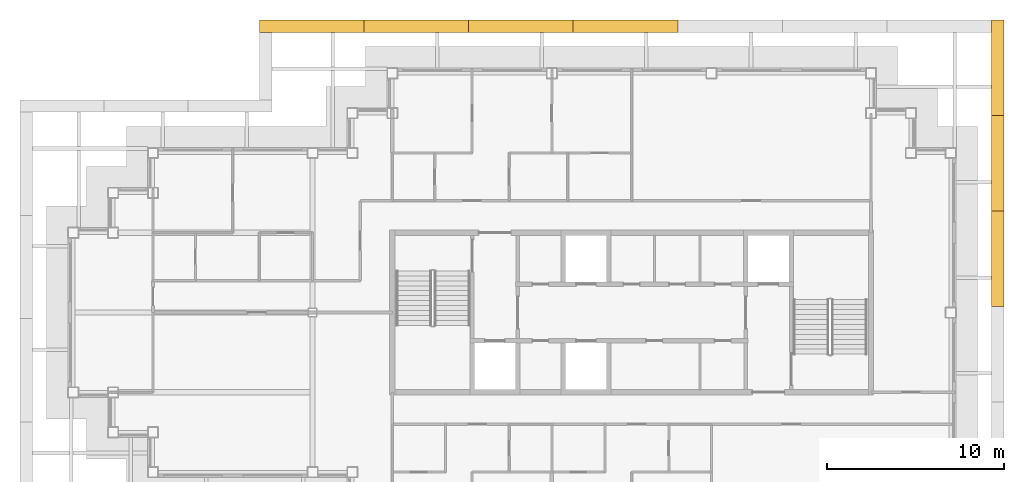
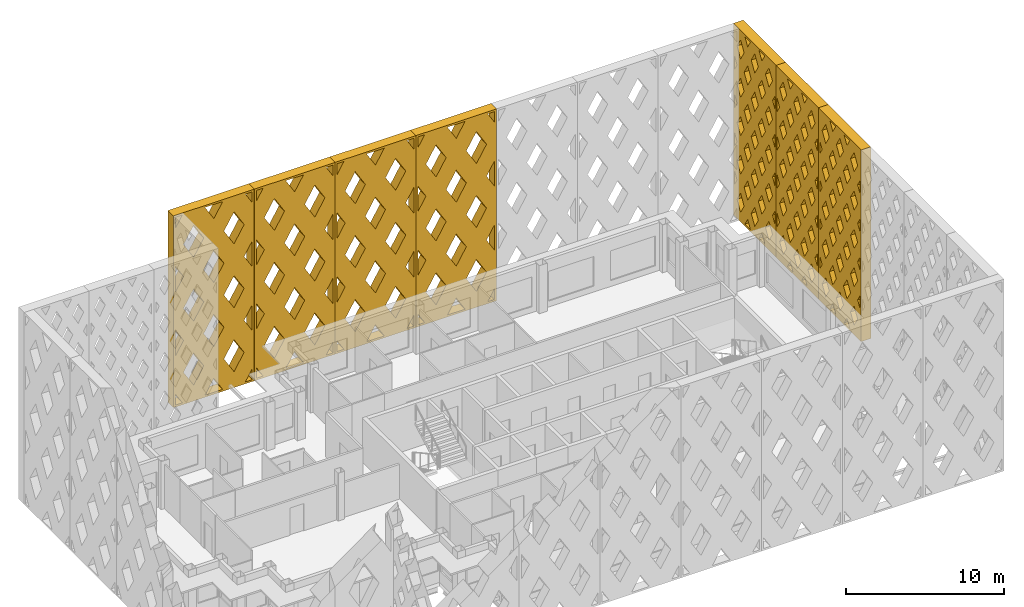
# One storey, part 14 of 15: 7 shading devices.
"""IFC4 building model written with IfcOpenShell, lengths in metres."""

from ifc_helpers import new_model, si_unit, direction, frame, origin, place, context, subcontext, project, spatial, polyline, outline, extrude, material, type_object, element, save


model = new_model("IFC4")

# Units and contexts
model_context = context("Model", 3, precision=1e-05, world=origin(), true_north=direction((0.0, 1.0)))
body_context = subcontext(model_context, "Body", "Model", "MODEL_VIEW")
ifc_project = project(units=[si_unit("LENGTHUNIT", "METRE"), si_unit("AREAUNIT", "SQUARE_METRE"), si_unit("VOLUMEUNIT", "CUBIC_METRE"), si_unit("PLANEANGLEUNIT", "RADIAN"), si_unit("MASSUNIT", "GRAM", prefix="KILO")], contexts=[model_context])

# Site, building, storey
site_placement = place(None, origin())
site = spatial("IfcSite", under=ifc_project, at=site_placement, CompositionType="ELEMENT")
building_placement = place(site_placement, origin())
building = spatial("IfcBuilding", under=site, at=building_placement, Name="Caravel Reach Hotel and Residences", CompositionType="ELEMENT")
storey_placement = place(building_placement, frame((0.0, 0.0, 252.699951171875)))
storey = spatial("IfcBuildingStorey", under=building, at=storey_placement, Name="L64", CompositionType="ELEMENT", Elevation=252.699951171875)

# Shading devices
ifc_material_1 = material(Name="Black powder-coated aluminium", Category="aluminium")
shading_device_type_1 = type_object("IfcShadingDeviceType", Name="Diamond lattice screen panel 5383 x 14800", PredefinedType="USERDEFINED", material=ifc_material_1)
shading_device_1_placement = place(storey_placement, frame((51.800048828125, 27.35009765625, 0.0), z_axis=(1.0, 0.0, 0.0), x_axis=(0.0, 1.0, 0.0)))
element("IfcShadingDevice", 1, at=shading_device_1_placement, inside=storey, type_object=shading_device_type_1, Name="Lattice screen L64-L67 4.4", ObjectType="SCREEN", PredefinedType="USERDEFINED", context=body_context, shape_type="SweptSolid", body=[
    extrude(outline(polyline([(0.0, 0.0), (5.38330078125, 0.0), (5.38330078125, 14.800048828125), (0.0, 14.800048828125), (0.0, 0.0)]), holes=[polyline([(0.451416015625, 2.9599609375), (0.14990234375, 3.457275390625), (0.14990234375, 2.462646484375), (0.451416015625, 2.9599609375)]), polyline([(0.451416015625, 5.919921875), (0.14990234375, 6.41748046875), (0.14990234375, 5.422607421875), (0.451416015625, 5.919921875)]), polyline([(0.451416015625, 8.8798828125), (0.14990234375, 9.37744140625), (0.14990234375, 8.382568359375), (0.451416015625, 8.8798828125)]), polyline([(0.451416015625, 11.840087890625), (0.14990234375, 12.33740234375), (0.14990234375, 11.342529296875), (0.451416015625, 11.840087890625)]), polyline([(0.897216796875, 2.224853515625), (0.44580078125, 1.47998046875), (0.897216796875, 0.735107421875), (1.348876953125, 1.47998046875), (0.897216796875, 2.224853515625)]), polyline([(0.897216796875, 5.184814453125), (0.44580078125, 4.43994140625), (0.897216796875, 3.695068359375), (1.348876953125, 4.43994140625), (0.897216796875, 5.184814453125)]), polyline([(0.897216796875, 8.144775390625), (0.44580078125, 7.39990234375), (0.897216796875, 6.6552734375), (1.348876953125, 7.39990234375), (0.897216796875, 8.144775390625)]), polyline([(0.897216796875, 11.104736328125), (0.44580078125, 10.360107421875), (0.897216796875, 9.615234375), (1.348876953125, 10.360107421875), (0.897216796875, 11.104736328125)]), polyline([(0.897216796875, 14.06494140625), (0.44580078125, 13.320068359375), (0.897216796875, 12.5751953125), (1.348876953125, 13.320068359375), (0.897216796875, 14.06494140625)]), polyline([(1.79443359375, 0.744873046875), (1.433837890625, 0.14990234375), (2.155029296875, 0.14990234375), (1.79443359375, 0.744873046875)]), polyline([(1.79443359375, 3.704833984375), (1.343017578125, 2.9599609375), (1.79443359375, 2.215087890625), (2.24609375, 2.9599609375), (1.79443359375, 3.704833984375)]), polyline([(1.79443359375, 6.664794921875), (1.343017578125, 5.919921875), (1.79443359375, 5.17529296875), (2.24609375, 5.919921875), (1.79443359375, 6.664794921875)]), polyline([(1.79443359375, 9.624755859375), (1.343017578125, 8.8798828125), (1.79443359375, 8.13525390625), (2.24609375, 8.8798828125), (1.79443359375, 9.624755859375)]), polyline([(1.79443359375, 12.584716796875), (1.343017578125, 11.840087890625), (1.79443359375, 11.09521484375), (2.24609375, 11.840087890625), (1.79443359375, 12.584716796875)]), polyline([(1.79443359375, 14.05517578125), (2.155029296875, 14.64990234375), (1.433837890625, 14.64990234375), (1.79443359375, 14.05517578125)]), polyline([(2.691650390625, 2.224853515625), (2.240234375, 1.47998046875), (2.691650390625, 0.735107421875), (3.143310546875, 1.47998046875), (2.691650390625, 2.224853515625)]), polyline([(2.691650390625, 5.184814453125), (2.240234375, 4.43994140625), (2.691650390625, 3.695068359375), (3.143310546875, 4.43994140625), (2.691650390625, 5.184814453125)]), polyline([(2.691650390625, 8.144775390625), (2.240234375, 7.39990234375), (2.691650390625, 6.6552734375), (3.143310546875, 7.39990234375), (2.691650390625, 8.144775390625)]), polyline([(2.691650390625, 11.104736328125), (2.240234375, 10.360107421875), (2.691650390625, 9.615234375), (3.143310546875, 10.360107421875), (2.691650390625, 11.104736328125)]), polyline([(2.691650390625, 14.06494140625), (2.240234375, 13.320068359375), (2.691650390625, 12.5751953125), (3.143310546875, 13.320068359375), (2.691650390625, 14.06494140625)]), polyline([(3.5888671875, 0.744873046875), (3.228271484375, 0.14990234375), (3.949462890625, 0.14990234375), (3.5888671875, 0.744873046875)]), polyline([(3.5888671875, 3.704833984375), (3.137451171875, 2.9599609375), (3.5888671875, 2.215087890625), (4.04052734375, 2.9599609375), (3.5888671875, 3.704833984375)]), polyline([(3.5888671875, 6.664794921875), (3.137451171875, 5.919921875), (3.5888671875, 5.17529296875), (4.04052734375, 5.919921875), (3.5888671875, 6.664794921875)]), polyline([(3.5888671875, 9.624755859375), (3.137451171875, 8.8798828125), (3.5888671875, 8.13525390625), (4.04052734375, 8.8798828125), (3.5888671875, 9.624755859375)]), polyline([(3.5888671875, 12.584716796875), (3.137451171875, 11.840087890625), (3.5888671875, 11.09521484375), (4.04052734375, 11.840087890625), (3.5888671875, 12.584716796875)]), polyline([(3.5888671875, 14.05517578125), (3.949462890625, 14.64990234375), (3.228271484375, 14.64990234375), (3.5888671875, 14.05517578125)]), polyline([(4.486083984375, 2.224853515625), (4.03466796875, 1.47998046875), (4.486083984375, 0.735107421875), (4.937744140625, 1.47998046875), (4.486083984375, 2.224853515625)]), polyline([(4.486083984375, 5.184814453125), (4.03466796875, 4.43994140625), (4.486083984375, 3.695068359375), (4.937744140625, 4.43994140625), (4.486083984375, 5.184814453125)]), polyline([(4.486083984375, 8.144775390625), (4.03466796875, 7.39990234375), (4.486083984375, 6.6552734375), (4.937744140625, 7.39990234375), (4.486083984375, 8.144775390625)]), polyline([(4.486083984375, 11.104736328125), (4.03466796875, 10.360107421875), (4.486083984375, 9.615234375), (4.937744140625, 10.360107421875), (4.486083984375, 11.104736328125)]), polyline([(4.486083984375, 14.06494140625), (4.03466796875, 13.320068359375), (4.486083984375, 12.5751953125), (4.937744140625, 13.320068359375), (4.486083984375, 14.06494140625)]), polyline([(4.931884765625, 2.9599609375), (5.2333984375, 2.462646484375), (5.2333984375, 3.457275390625), (4.931884765625, 2.9599609375)]), polyline([(4.931884765625, 5.919921875), (5.2333984375, 5.422607421875), (5.2333984375, 6.41748046875), (4.931884765625, 5.919921875)]), polyline([(4.931884765625, 8.8798828125), (5.2333984375, 8.382568359375), (5.2333984375, 9.37744140625), (4.931884765625, 8.8798828125)]), polyline([(4.931884765625, 11.840087890625), (5.2333984375, 11.342529296875), (5.2333984375, 12.33740234375), (4.931884765625, 11.840087890625)])]), origin(), (0.0, 0.0, 1.0), 0.699951171875),
])
shading_device_2_placement = place(storey_placement, frame((51.800048828125, 32.7333984375, 0.0), z_axis=(1.0, 0.0, 0.0), x_axis=(0.0, 1.0, 0.0)))
element("IfcShadingDevice", 2, at=shading_device_2_placement, inside=storey, type_object=shading_device_type_1, Name="Lattice screen L64-L67 4.5", ObjectType="SCREEN", PredefinedType="USERDEFINED", context=body_context, shape_type="SweptSolid", body=[
    extrude(outline(polyline([(0.0, 0.0), (5.38330078125, 0.0), (5.38330078125, 14.800048828125), (0.0, 14.800048828125), (0.0, 0.0)]), holes=[polyline([(0.451416015625, 2.9599609375), (0.14990234375, 3.457275390625), (0.14990234375, 2.462646484375), (0.451416015625, 2.9599609375)]), polyline([(0.451416015625, 5.919921875), (0.14990234375, 6.41748046875), (0.14990234375, 5.422607421875), (0.451416015625, 5.919921875)]), polyline([(0.451416015625, 8.8798828125), (0.14990234375, 9.37744140625), (0.14990234375, 8.382568359375), (0.451416015625, 8.8798828125)]), polyline([(0.451416015625, 11.840087890625), (0.14990234375, 12.33740234375), (0.14990234375, 11.342529296875), (0.451416015625, 11.840087890625)]), polyline([(0.897216796875, 2.224853515625), (0.44580078125, 1.47998046875), (0.897216796875, 0.735107421875), (1.348876953125, 1.47998046875), (0.897216796875, 2.224853515625)]), polyline([(0.897216796875, 5.184814453125), (0.44580078125, 4.43994140625), (0.897216796875, 3.695068359375), (1.348876953125, 4.43994140625), (0.897216796875, 5.184814453125)]), polyline([(0.897216796875, 8.144775390625), (0.44580078125, 7.39990234375), (0.897216796875, 6.6552734375), (1.348876953125, 7.39990234375), (0.897216796875, 8.144775390625)]), polyline([(0.897216796875, 11.104736328125), (0.44580078125, 10.360107421875), (0.897216796875, 9.615234375), (1.348876953125, 10.360107421875), (0.897216796875, 11.104736328125)]), polyline([(0.897216796875, 14.06494140625), (0.44580078125, 13.320068359375), (0.897216796875, 12.5751953125), (1.348876953125, 13.320068359375), (0.897216796875, 14.06494140625)]), polyline([(1.79443359375, 0.744873046875), (1.433837890625, 0.14990234375), (2.155029296875, 0.14990234375), (1.79443359375, 0.744873046875)]), polyline([(1.79443359375, 3.704833984375), (1.343017578125, 2.9599609375), (1.79443359375, 2.215087890625), (2.24609375, 2.9599609375), (1.79443359375, 3.704833984375)]), polyline([(1.79443359375, 6.664794921875), (1.343017578125, 5.919921875), (1.79443359375, 5.17529296875), (2.24609375, 5.919921875), (1.79443359375, 6.664794921875)]), polyline([(1.79443359375, 9.624755859375), (1.343017578125, 8.8798828125), (1.79443359375, 8.13525390625), (2.24609375, 8.8798828125), (1.79443359375, 9.624755859375)]), polyline([(1.79443359375, 12.584716796875), (1.343017578125, 11.840087890625), (1.79443359375, 11.09521484375), (2.24609375, 11.840087890625), (1.79443359375, 12.584716796875)]), polyline([(1.79443359375, 14.05517578125), (2.155029296875, 14.64990234375), (1.433837890625, 14.64990234375), (1.79443359375, 14.05517578125)]), polyline([(2.691650390625, 2.224853515625), (2.240234375, 1.47998046875), (2.691650390625, 0.735107421875), (3.143310546875, 1.47998046875), (2.691650390625, 2.224853515625)]), polyline([(2.691650390625, 5.184814453125), (2.240234375, 4.43994140625), (2.691650390625, 3.695068359375), (3.143310546875, 4.43994140625), (2.691650390625, 5.184814453125)]), polyline([(2.691650390625, 8.144775390625), (2.240234375, 7.39990234375), (2.691650390625, 6.6552734375), (3.143310546875, 7.39990234375), (2.691650390625, 8.144775390625)]), polyline([(2.691650390625, 11.104736328125), (2.240234375, 10.360107421875), (2.691650390625, 9.615234375), (3.143310546875, 10.360107421875), (2.691650390625, 11.104736328125)]), polyline([(2.691650390625, 14.06494140625), (2.240234375, 13.320068359375), (2.691650390625, 12.5751953125), (3.143310546875, 13.320068359375), (2.691650390625, 14.06494140625)]), polyline([(3.5888671875, 0.744873046875), (3.228271484375, 0.14990234375), (3.949462890625, 0.14990234375), (3.5888671875, 0.744873046875)]), polyline([(3.5888671875, 3.704833984375), (3.137451171875, 2.9599609375), (3.5888671875, 2.215087890625), (4.04052734375, 2.9599609375), (3.5888671875, 3.704833984375)]), polyline([(3.5888671875, 6.664794921875), (3.137451171875, 5.919921875), (3.5888671875, 5.17529296875), (4.04052734375, 5.919921875), (3.5888671875, 6.664794921875)]), polyline([(3.5888671875, 9.624755859375), (3.137451171875, 8.8798828125), (3.5888671875, 8.13525390625), (4.04052734375, 8.8798828125), (3.5888671875, 9.624755859375)]), polyline([(3.5888671875, 12.584716796875), (3.137451171875, 11.840087890625), (3.5888671875, 11.09521484375), (4.04052734375, 11.840087890625), (3.5888671875, 12.584716796875)]), polyline([(3.5888671875, 14.05517578125), (3.949462890625, 14.64990234375), (3.228271484375, 14.64990234375), (3.5888671875, 14.05517578125)]), polyline([(4.486083984375, 2.224853515625), (4.03466796875, 1.47998046875), (4.486083984375, 0.735107421875), (4.937744140625, 1.47998046875), (4.486083984375, 2.224853515625)]), polyline([(4.486083984375, 5.184814453125), (4.03466796875, 4.43994140625), (4.486083984375, 3.695068359375), (4.937744140625, 4.43994140625), (4.486083984375, 5.184814453125)]), polyline([(4.486083984375, 8.144775390625), (4.03466796875, 7.39990234375), (4.486083984375, 6.6552734375), (4.937744140625, 7.39990234375), (4.486083984375, 8.144775390625)]), polyline([(4.486083984375, 11.104736328125), (4.03466796875, 10.360107421875), (4.486083984375, 9.615234375), (4.937744140625, 10.360107421875), (4.486083984375, 11.104736328125)]), polyline([(4.486083984375, 14.06494140625), (4.03466796875, 13.320068359375), (4.486083984375, 12.5751953125), (4.937744140625, 13.320068359375), (4.486083984375, 14.06494140625)]), polyline([(4.931884765625, 2.9599609375), (5.2333984375, 2.462646484375), (5.2333984375, 3.457275390625), (4.931884765625, 2.9599609375)]), polyline([(4.931884765625, 5.919921875), (5.2333984375, 5.422607421875), (5.2333984375, 6.41748046875), (4.931884765625, 5.919921875)]), polyline([(4.931884765625, 8.8798828125), (5.2333984375, 8.382568359375), (5.2333984375, 9.37744140625), (4.931884765625, 8.8798828125)]), polyline([(4.931884765625, 11.840087890625), (5.2333984375, 11.342529296875), (5.2333984375, 12.33740234375), (4.931884765625, 11.840087890625)])]), origin(), (0.0, 0.0, 1.0), 0.699951171875),
])
shading_device_3_placement = place(storey_placement, frame((51.800048828125, 38.11669921875, 0.0), z_axis=(1.0, 0.0, 0.0), x_axis=(0.0, 1.0, 0.0)))
element("IfcShadingDevice", 3, at=shading_device_3_placement, inside=storey, type_object=shading_device_type_1, Name="Lattice screen L64-L67 4.6", ObjectType="SCREEN", PredefinedType="USERDEFINED", context=body_context, shape_type="SweptSolid", body=[
    extrude(outline(polyline([(0.0, 0.0), (5.38330078125, 0.0), (5.38330078125, 14.800048828125), (0.0, 14.800048828125), (0.0, 0.0)]), holes=[polyline([(0.451416015625, 2.9599609375), (0.14990234375, 3.457275390625), (0.14990234375, 2.462646484375), (0.451416015625, 2.9599609375)]), polyline([(0.451416015625, 5.919921875), (0.14990234375, 6.41748046875), (0.14990234375, 5.422607421875), (0.451416015625, 5.919921875)]), polyline([(0.451416015625, 8.8798828125), (0.14990234375, 9.37744140625), (0.14990234375, 8.382568359375), (0.451416015625, 8.8798828125)]), polyline([(0.451416015625, 11.840087890625), (0.14990234375, 12.33740234375), (0.14990234375, 11.342529296875), (0.451416015625, 11.840087890625)]), polyline([(0.897216796875, 2.224853515625), (0.44580078125, 1.47998046875), (0.897216796875, 0.735107421875), (1.348876953125, 1.47998046875), (0.897216796875, 2.224853515625)]), polyline([(0.897216796875, 5.184814453125), (0.44580078125, 4.43994140625), (0.897216796875, 3.695068359375), (1.348876953125, 4.43994140625), (0.897216796875, 5.184814453125)]), polyline([(0.897216796875, 8.144775390625), (0.44580078125, 7.39990234375), (0.897216796875, 6.6552734375), (1.348876953125, 7.39990234375), (0.897216796875, 8.144775390625)]), polyline([(0.897216796875, 11.104736328125), (0.44580078125, 10.360107421875), (0.897216796875, 9.615234375), (1.348876953125, 10.360107421875), (0.897216796875, 11.104736328125)]), polyline([(0.897216796875, 14.06494140625), (0.44580078125, 13.320068359375), (0.897216796875, 12.5751953125), (1.348876953125, 13.320068359375), (0.897216796875, 14.06494140625)]), polyline([(1.79443359375, 0.744873046875), (1.433837890625, 0.14990234375), (2.155029296875, 0.14990234375), (1.79443359375, 0.744873046875)]), polyline([(1.79443359375, 3.704833984375), (1.343017578125, 2.9599609375), (1.79443359375, 2.215087890625), (2.24609375, 2.9599609375), (1.79443359375, 3.704833984375)]), polyline([(1.79443359375, 6.664794921875), (1.343017578125, 5.919921875), (1.79443359375, 5.17529296875), (2.24609375, 5.919921875), (1.79443359375, 6.664794921875)]), polyline([(1.79443359375, 9.624755859375), (1.343017578125, 8.8798828125), (1.79443359375, 8.13525390625), (2.24609375, 8.8798828125), (1.79443359375, 9.624755859375)]), polyline([(1.79443359375, 12.584716796875), (1.343017578125, 11.840087890625), (1.79443359375, 11.09521484375), (2.24609375, 11.840087890625), (1.79443359375, 12.584716796875)]), polyline([(1.79443359375, 14.05517578125), (2.155029296875, 14.64990234375), (1.433837890625, 14.64990234375), (1.79443359375, 14.05517578125)]), polyline([(2.691650390625, 2.224853515625), (2.240234375, 1.47998046875), (2.691650390625, 0.735107421875), (3.143310546875, 1.47998046875), (2.691650390625, 2.224853515625)]), polyline([(2.691650390625, 5.184814453125), (2.240234375, 4.43994140625), (2.691650390625, 3.695068359375), (3.143310546875, 4.43994140625), (2.691650390625, 5.184814453125)]), polyline([(2.691650390625, 8.144775390625), (2.240234375, 7.39990234375), (2.691650390625, 6.6552734375), (3.143310546875, 7.39990234375), (2.691650390625, 8.144775390625)]), polyline([(2.691650390625, 11.104736328125), (2.240234375, 10.360107421875), (2.691650390625, 9.615234375), (3.143310546875, 10.360107421875), (2.691650390625, 11.104736328125)]), polyline([(2.691650390625, 14.06494140625), (2.240234375, 13.320068359375), (2.691650390625, 12.5751953125), (3.143310546875, 13.320068359375), (2.691650390625, 14.06494140625)]), polyline([(3.5888671875, 0.744873046875), (3.228271484375, 0.14990234375), (3.949462890625, 0.14990234375), (3.5888671875, 0.744873046875)]), polyline([(3.5888671875, 3.704833984375), (3.137451171875, 2.9599609375), (3.5888671875, 2.215087890625), (4.04052734375, 2.9599609375), (3.5888671875, 3.704833984375)]), polyline([(3.5888671875, 6.664794921875), (3.137451171875, 5.919921875), (3.5888671875, 5.17529296875), (4.04052734375, 5.919921875), (3.5888671875, 6.664794921875)]), polyline([(3.5888671875, 9.624755859375), (3.137451171875, 8.8798828125), (3.5888671875, 8.13525390625), (4.04052734375, 8.8798828125), (3.5888671875, 9.624755859375)]), polyline([(3.5888671875, 12.584716796875), (3.137451171875, 11.840087890625), (3.5888671875, 11.09521484375), (4.04052734375, 11.840087890625), (3.5888671875, 12.584716796875)]), polyline([(3.5888671875, 14.05517578125), (3.949462890625, 14.64990234375), (3.228271484375, 14.64990234375), (3.5888671875, 14.05517578125)]), polyline([(4.486083984375, 2.224853515625), (4.03466796875, 1.47998046875), (4.486083984375, 0.735107421875), (4.937744140625, 1.47998046875), (4.486083984375, 2.224853515625)]), polyline([(4.486083984375, 5.184814453125), (4.03466796875, 4.43994140625), (4.486083984375, 3.695068359375), (4.937744140625, 4.43994140625), (4.486083984375, 5.184814453125)]), polyline([(4.486083984375, 8.144775390625), (4.03466796875, 7.39990234375), (4.486083984375, 6.6552734375), (4.937744140625, 7.39990234375), (4.486083984375, 8.144775390625)]), polyline([(4.486083984375, 11.104736328125), (4.03466796875, 10.360107421875), (4.486083984375, 9.615234375), (4.937744140625, 10.360107421875), (4.486083984375, 11.104736328125)]), polyline([(4.486083984375, 14.06494140625), (4.03466796875, 13.320068359375), (4.486083984375, 12.5751953125), (4.937744140625, 13.320068359375), (4.486083984375, 14.06494140625)]), polyline([(4.931884765625, 2.9599609375), (5.2333984375, 2.462646484375), (5.2333984375, 3.457275390625), (4.931884765625, 2.9599609375)]), polyline([(4.931884765625, 5.919921875), (5.2333984375, 5.422607421875), (5.2333984375, 6.41748046875), (4.931884765625, 5.919921875)]), polyline([(4.931884765625, 8.8798828125), (5.2333984375, 8.382568359375), (5.2333984375, 9.37744140625), (4.931884765625, 8.8798828125)]), polyline([(4.931884765625, 11.840087890625), (5.2333984375, 11.342529296875), (5.2333984375, 12.33740234375), (4.931884765625, 11.840087890625)])]), origin(), (0.0, 0.0, 1.0), 0.699951171875),
])
ifc_material_2 = material(Name="Black powder-coated aluminium", Category="aluminium")
shading_device_type_2 = type_object("IfcShadingDeviceType", Name="Diamond lattice screen panel 5900 x 14800", PredefinedType="USERDEFINED", material=ifc_material_2)
shading_device_4_placement = place(storey_placement, frame((34.10009765625, 42.800048828125, 0.0), z_axis=(0.0, 1.0, 0.0), x_axis=(-1.0, 0.0, 0.0)))
element("IfcShadingDevice", 4, at=shading_device_4_placement, inside=storey, type_object=shading_device_type_2, Name="Lattice screen L64-L67 5.4", ObjectType="SCREEN", PredefinedType="USERDEFINED", context=body_context, shape_type="SweptSolid", body=[
    extrude(outline(polyline([(0.0, 0.0), (5.89990234375, 0.0), (5.89990234375, 14.800048828125), (0.0, 14.800048828125), (0.0, 0.0)]), holes=[polyline([(0.64990234375, 0.14990234375), (0.14990234375, 0.986083984375), (0.14990234375, 0.14990234375), (0.64990234375, 0.14990234375)]), polyline([(0.739501953125, 4.933349609375), (0.14990234375, 5.91943359375), (0.14990234375, 3.947265625), (0.739501953125, 4.933349609375)]), polyline([(0.739501953125, 9.86669921875), (0.14990234375, 10.852783203125), (0.14990234375, 8.880615234375), (0.739501953125, 9.86669921875)]), polyline([(0.14990234375, 13.81396484375), (0.64990234375, 14.64990234375), (0.14990234375, 14.64990234375), (0.14990234375, 13.81396484375)]), polyline([(1.47509765625, 3.70361328125), (0.7353515625, 2.466552734375), (1.47509765625, 1.229736328125), (2.214599609375, 2.466552734375), (1.47509765625, 3.70361328125)]), polyline([(1.47509765625, 8.636962890625), (0.7353515625, 7.39990234375), (1.47509765625, 6.1630859375), (2.214599609375, 7.39990234375), (1.47509765625, 8.636962890625)]), polyline([(1.47509765625, 13.570068359375), (0.7353515625, 12.333251953125), (1.47509765625, 11.096435546875), (2.214599609375, 12.333251953125), (1.47509765625, 13.570068359375)]), polyline([(2.949951171875, 1.23681640625), (2.300048828125, 0.14990234375), (3.599853515625, 0.14990234375), (2.949951171875, 1.23681640625)]), polyline([(2.949951171875, 6.170166015625), (2.21044921875, 4.933349609375), (2.949951171875, 3.696533203125), (3.689697265625, 4.933349609375), (2.949951171875, 6.170166015625)]), polyline([(2.949951171875, 11.103515625), (2.21044921875, 9.86669921875), (2.949951171875, 8.6298828125), (3.689697265625, 9.86669921875), (2.949951171875, 11.103515625)]), polyline([(2.949951171875, 13.563232421875), (3.599853515625, 14.64990234375), (2.300048828125, 14.64990234375), (2.949951171875, 13.563232421875)]), polyline([(4.425048828125, 3.70361328125), (3.685302734375, 2.466552734375), (4.425048828125, 1.229736328125), (5.16455078125, 2.466552734375), (4.425048828125, 3.70361328125)]), polyline([(4.425048828125, 8.636962890625), (3.685302734375, 7.39990234375), (4.425048828125, 6.1630859375), (5.16455078125, 7.39990234375), (4.425048828125, 8.636962890625)]), polyline([(4.425048828125, 13.570068359375), (3.685302734375, 12.333251953125), (4.425048828125, 11.096435546875), (5.16455078125, 12.333251953125), (4.425048828125, 13.570068359375)]), polyline([(5.75, 0.986083984375), (5.25, 0.14990234375), (5.75, 0.14990234375), (5.75, 0.986083984375)]), polyline([(5.160400390625, 4.933349609375), (5.75, 3.947265625), (5.75, 5.91943359375), (5.160400390625, 4.933349609375)]), polyline([(5.160400390625, 9.86669921875), (5.75, 8.880615234375), (5.75, 10.852783203125), (5.160400390625, 9.86669921875)]), polyline([(5.25, 14.64990234375), (5.75, 13.81396484375), (5.75, 14.64990234375), (5.25, 14.64990234375)])]), origin(), (0.0, 0.0, 1.0), 0.699951171875),
])
shading_device_5_placement = place(storey_placement, frame((28.199951171875, 42.800048828125, 0.0), z_axis=(0.0, 1.0, 0.0), x_axis=(-1.0, 0.0, 0.0)))
element("IfcShadingDevice", 5, at=shading_device_5_placement, inside=storey, type_object=shading_device_type_2, Name="Lattice screen L64-L67 5.5", ObjectType="SCREEN", PredefinedType="USERDEFINED", context=body_context, shape_type="SweptSolid", body=[
    extrude(outline(polyline([(0.0, 0.0), (5.89990234375, 0.0), (5.89990234375, 14.800048828125), (0.0, 14.800048828125), (0.0, 0.0)]), holes=[polyline([(0.64990234375, 0.14990234375), (0.14990234375, 0.986083984375), (0.14990234375, 0.14990234375), (0.64990234375, 0.14990234375)]), polyline([(0.739501953125, 4.933349609375), (0.14990234375, 5.91943359375), (0.14990234375, 3.947265625), (0.739501953125, 4.933349609375)]), polyline([(0.739501953125, 9.86669921875), (0.14990234375, 10.852783203125), (0.14990234375, 8.880615234375), (0.739501953125, 9.86669921875)]), polyline([(0.14990234375, 13.81396484375), (0.64990234375, 14.64990234375), (0.14990234375, 14.64990234375), (0.14990234375, 13.81396484375)]), polyline([(1.47509765625, 3.70361328125), (0.7353515625, 2.466552734375), (1.47509765625, 1.229736328125), (2.214599609375, 2.466552734375), (1.47509765625, 3.70361328125)]), polyline([(1.47509765625, 8.636962890625), (0.7353515625, 7.39990234375), (1.47509765625, 6.1630859375), (2.214599609375, 7.39990234375), (1.47509765625, 8.636962890625)]), polyline([(1.47509765625, 13.570068359375), (0.7353515625, 12.333251953125), (1.47509765625, 11.096435546875), (2.214599609375, 12.333251953125), (1.47509765625, 13.570068359375)]), polyline([(2.949951171875, 1.23681640625), (2.300048828125, 0.14990234375), (3.599853515625, 0.14990234375), (2.949951171875, 1.23681640625)]), polyline([(2.949951171875, 6.170166015625), (2.21044921875, 4.933349609375), (2.949951171875, 3.696533203125), (3.689697265625, 4.933349609375), (2.949951171875, 6.170166015625)]), polyline([(2.949951171875, 11.103515625), (2.21044921875, 9.86669921875), (2.949951171875, 8.6298828125), (3.689697265625, 9.86669921875), (2.949951171875, 11.103515625)]), polyline([(2.949951171875, 13.563232421875), (3.599853515625, 14.64990234375), (2.300048828125, 14.64990234375), (2.949951171875, 13.563232421875)]), polyline([(4.425048828125, 3.70361328125), (3.685302734375, 2.466552734375), (4.425048828125, 1.229736328125), (5.16455078125, 2.466552734375), (4.425048828125, 3.70361328125)]), polyline([(4.425048828125, 8.636962890625), (3.685302734375, 7.39990234375), (4.425048828125, 6.1630859375), (5.16455078125, 7.39990234375), (4.425048828125, 8.636962890625)]), polyline([(4.425048828125, 13.570068359375), (3.685302734375, 12.333251953125), (4.425048828125, 11.096435546875), (5.16455078125, 12.333251953125), (4.425048828125, 13.570068359375)]), polyline([(5.75, 0.986083984375), (5.25, 0.14990234375), (5.75, 0.14990234375), (5.75, 0.986083984375)]), polyline([(5.160400390625, 4.933349609375), (5.75, 3.947265625), (5.75, 5.91943359375), (5.160400390625, 4.933349609375)]), polyline([(5.160400390625, 9.86669921875), (5.75, 8.880615234375), (5.75, 10.852783203125), (5.160400390625, 9.86669921875)]), polyline([(5.25, 14.64990234375), (5.75, 13.81396484375), (5.75, 14.64990234375), (5.25, 14.64990234375)])]), origin(), (0.0, 0.0, 1.0), 0.699951171875),
])
shading_device_6_placement = place(storey_placement, frame((22.300048828125, 42.800048828125, 0.0), z_axis=(0.0, 1.0, 0.0), x_axis=(-1.0, 0.0, 0.0)))
element("IfcShadingDevice", 6, at=shading_device_6_placement, inside=storey, type_object=shading_device_type_2, Name="Lattice screen L64-L67 5.6", ObjectType="SCREEN", PredefinedType="USERDEFINED", context=body_context, shape_type="SweptSolid", body=[
    extrude(outline(polyline([(0.0, 0.0), (5.89990234375, 0.0), (5.89990234375, 14.800048828125), (0.0, 14.800048828125), (0.0, 0.0)]), holes=[polyline([(0.64990234375, 0.14990234375), (0.14990234375, 0.986083984375), (0.14990234375, 0.14990234375), (0.64990234375, 0.14990234375)]), polyline([(0.739501953125, 4.933349609375), (0.14990234375, 5.91943359375), (0.14990234375, 3.947265625), (0.739501953125, 4.933349609375)]), polyline([(0.739501953125, 9.86669921875), (0.14990234375, 10.852783203125), (0.14990234375, 8.880615234375), (0.739501953125, 9.86669921875)]), polyline([(0.14990234375, 13.81396484375), (0.64990234375, 14.64990234375), (0.14990234375, 14.64990234375), (0.14990234375, 13.81396484375)]), polyline([(1.47509765625, 3.70361328125), (0.7353515625, 2.466552734375), (1.47509765625, 1.229736328125), (2.214599609375, 2.466552734375), (1.47509765625, 3.70361328125)]), polyline([(1.47509765625, 8.636962890625), (0.7353515625, 7.39990234375), (1.47509765625, 6.1630859375), (2.214599609375, 7.39990234375), (1.47509765625, 8.636962890625)]), polyline([(1.47509765625, 13.570068359375), (0.7353515625, 12.333251953125), (1.47509765625, 11.096435546875), (2.214599609375, 12.333251953125), (1.47509765625, 13.570068359375)]), polyline([(2.949951171875, 1.23681640625), (2.300048828125, 0.14990234375), (3.599853515625, 0.14990234375), (2.949951171875, 1.23681640625)]), polyline([(2.949951171875, 6.170166015625), (2.21044921875, 4.933349609375), (2.949951171875, 3.696533203125), (3.689697265625, 4.933349609375), (2.949951171875, 6.170166015625)]), polyline([(2.949951171875, 11.103515625), (2.21044921875, 9.86669921875), (2.949951171875, 8.6298828125), (3.689697265625, 9.86669921875), (2.949951171875, 11.103515625)]), polyline([(2.949951171875, 13.563232421875), (3.599853515625, 14.64990234375), (2.300048828125, 14.64990234375), (2.949951171875, 13.563232421875)]), polyline([(4.425048828125, 3.70361328125), (3.685302734375, 2.466552734375), (4.425048828125, 1.229736328125), (5.16455078125, 2.466552734375), (4.425048828125, 3.70361328125)]), polyline([(4.425048828125, 8.636962890625), (3.685302734375, 7.39990234375), (4.425048828125, 6.1630859375), (5.16455078125, 7.39990234375), (4.425048828125, 8.636962890625)]), polyline([(4.425048828125, 13.570068359375), (3.685302734375, 12.333251953125), (4.425048828125, 11.096435546875), (5.16455078125, 12.333251953125), (4.425048828125, 13.570068359375)]), polyline([(5.75, 0.986083984375), (5.25, 0.14990234375), (5.75, 0.14990234375), (5.75, 0.986083984375)]), polyline([(5.160400390625, 4.933349609375), (5.75, 3.947265625), (5.75, 5.91943359375), (5.160400390625, 4.933349609375)]), polyline([(5.160400390625, 9.86669921875), (5.75, 8.880615234375), (5.75, 10.852783203125), (5.160400390625, 9.86669921875)]), polyline([(5.25, 14.64990234375), (5.75, 13.81396484375), (5.75, 14.64990234375), (5.25, 14.64990234375)])]), origin(), (0.0, 0.0, 1.0), 0.699951171875),
])
shading_device_7_placement = place(storey_placement, frame((16.39990234375, 42.800048828125, 0.0), z_axis=(0.0, 1.0, 0.0), x_axis=(-1.0, 0.0, 0.0)))
element("IfcShadingDevice", 7, at=shading_device_7_placement, inside=storey, type_object=shading_device_type_2, Name="Lattice screen L64-L67 5.7", ObjectType="SCREEN", PredefinedType="USERDEFINED", context=body_context, shape_type="SweptSolid", body=[
    extrude(outline(polyline([(0.0, 0.0), (5.89990234375, 0.0), (5.89990234375, 14.800048828125), (0.0, 14.800048828125), (0.0, 0.0)]), holes=[polyline([(0.64990234375, 0.14990234375), (0.14990234375, 0.986083984375), (0.14990234375, 0.14990234375), (0.64990234375, 0.14990234375)]), polyline([(0.739501953125, 4.933349609375), (0.14990234375, 5.91943359375), (0.14990234375, 3.947265625), (0.739501953125, 4.933349609375)]), polyline([(0.739501953125, 9.86669921875), (0.14990234375, 10.852783203125), (0.14990234375, 8.880615234375), (0.739501953125, 9.86669921875)]), polyline([(0.14990234375, 13.81396484375), (0.64990234375, 14.64990234375), (0.14990234375, 14.64990234375), (0.14990234375, 13.81396484375)]), polyline([(1.47509765625, 3.70361328125), (0.7353515625, 2.466552734375), (1.47509765625, 1.229736328125), (2.214599609375, 2.466552734375), (1.47509765625, 3.70361328125)]), polyline([(1.47509765625, 8.636962890625), (0.7353515625, 7.39990234375), (1.47509765625, 6.1630859375), (2.214599609375, 7.39990234375), (1.47509765625, 8.636962890625)]), polyline([(1.47509765625, 13.570068359375), (0.7353515625, 12.333251953125), (1.47509765625, 11.096435546875), (2.214599609375, 12.333251953125), (1.47509765625, 13.570068359375)]), polyline([(2.949951171875, 1.23681640625), (2.300048828125, 0.14990234375), (3.599853515625, 0.14990234375), (2.949951171875, 1.23681640625)]), polyline([(2.949951171875, 6.170166015625), (2.21044921875, 4.933349609375), (2.949951171875, 3.696533203125), (3.689697265625, 4.933349609375), (2.949951171875, 6.170166015625)]), polyline([(2.949951171875, 11.103515625), (2.21044921875, 9.86669921875), (2.949951171875, 8.6298828125), (3.689697265625, 9.86669921875), (2.949951171875, 11.103515625)]), polyline([(2.949951171875, 13.563232421875), (3.599853515625, 14.64990234375), (2.300048828125, 14.64990234375), (2.949951171875, 13.563232421875)]), polyline([(4.425048828125, 3.70361328125), (3.685302734375, 2.466552734375), (4.425048828125, 1.229736328125), (5.16455078125, 2.466552734375), (4.425048828125, 3.70361328125)]), polyline([(4.425048828125, 8.636962890625), (3.685302734375, 7.39990234375), (4.425048828125, 6.1630859375), (5.16455078125, 7.39990234375), (4.425048828125, 8.636962890625)]), polyline([(4.425048828125, 13.570068359375), (3.685302734375, 12.333251953125), (4.425048828125, 11.096435546875), (5.16455078125, 12.333251953125), (4.425048828125, 13.570068359375)]), polyline([(5.75, 0.986083984375), (5.25, 0.14990234375), (5.75, 0.14990234375), (5.75, 0.986083984375)]), polyline([(5.160400390625, 4.933349609375), (5.75, 3.947265625), (5.75, 5.91943359375), (5.160400390625, 4.933349609375)]), polyline([(5.160400390625, 9.86669921875), (5.75, 8.880615234375), (5.75, 10.852783203125), (5.160400390625, 9.86669921875)]), polyline([(5.25, 14.64990234375), (5.75, 13.81396484375), (5.75, 14.64990234375), (5.25, 14.64990234375)])]), origin(), (0.0, 0.0, 1.0), 0.699951171875),
])

save(model, "model.ifc")
